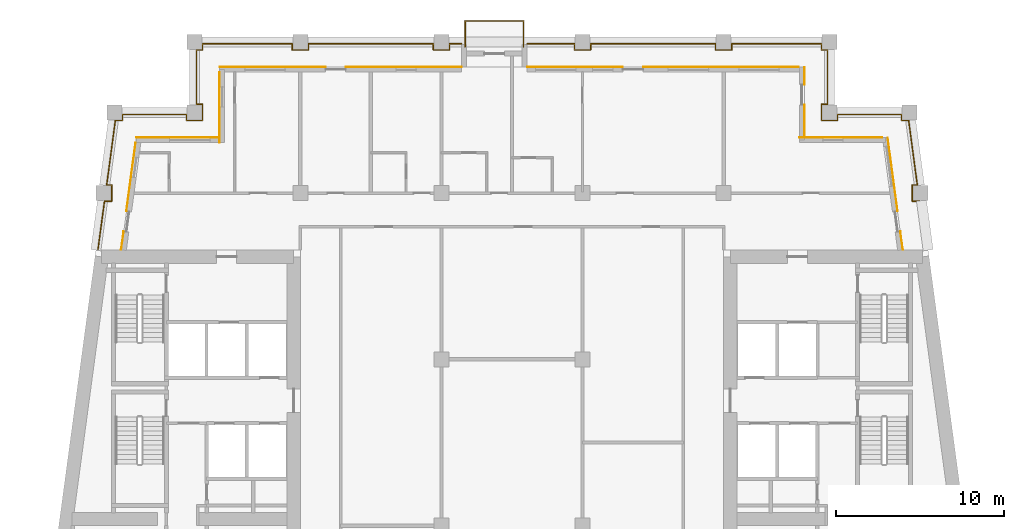
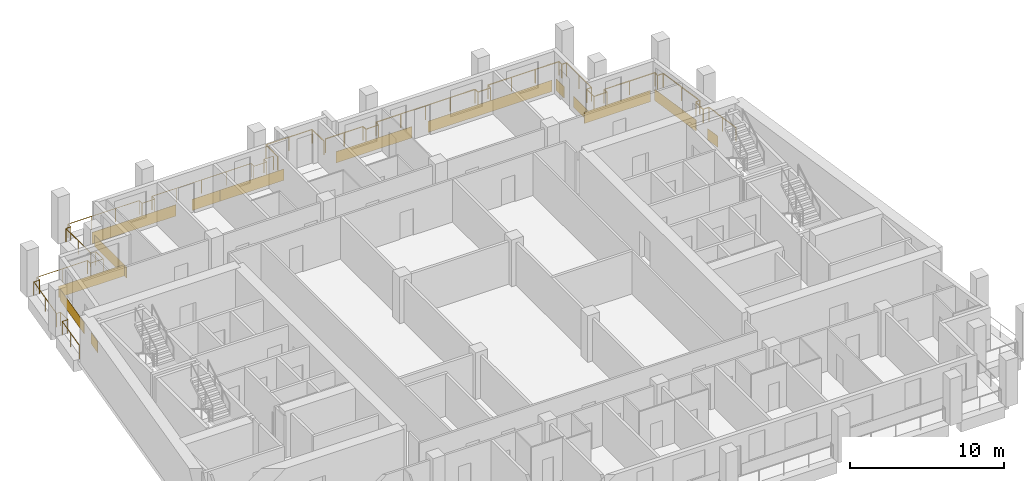
# One storey, part 11 of 12: 14 coverings, 3 railings.
"""IFC4 building model written with IfcOpenShell, lengths in metres."""

import ifcopenshell
import ifcopenshell.guid

model = None  # the IFC model being written
_history = None  # IfcOwnerHistory: only IFC2X3 demands one
_inside = {}  # id of a spatial element -> (the spatial element, [elements in it])
_under = {}  # id of a project, library or spatial element -> (it, [spatial elements below it])
_declared = {}  # id of a project -> (the project, [libraries it declares])
_typed = {}  # id of a type object -> (the type object, [elements of that type])
_made_of = {}  # id of a material, layer set ... -> (it, [elements and type objects made of it])


def new_model(schema):
    """Start an empty IFC model of exactly this schema.

    Asked for "IFC4X3", IfcOpenShell would pick the latest addendum, in which some entities
    have other attributes; the version numbers below select the first issue.
    IFC2X3 requires an IfcOwnerHistory on every rooted entity: one is made here for all.
    """
    global model, _history
    if schema == "IFC4X3":
        model = ifcopenshell.file(schema_version=(4, 3, 0, 0))
    else:
        model = ifcopenshell.file(schema=schema)
    _inside.clear()
    _under.clear()
    _declared.clear()
    _typed.clear()
    _made_of.clear()
    _history = None
    if model.schema == "IFC2X3":
        org = make("IfcOrganization", Name="unknown")
        user = make(
            "IfcPersonAndOrganization",
            ThePerson=make("IfcPerson", FamilyName="unknown"),
            TheOrganization=org,
        )
        app = make(
            "IfcApplication",
            ApplicationDeveloper=org,
            Version="unknown",
            ApplicationFullName="unknown",
            ApplicationIdentifier="unknown",
        )
        _history = make(
            "IfcOwnerHistory",
            OwningUser=user,
            OwningApplication=app,
            ChangeAction="ADDED",
            CreationDate=0,
        )
    return model


def make(cls, **values):
    """One entity of the class cls with the attributes given. An attribute that is None is left unset."""
    return model.create_entity(
        cls, **{name: value for name, value in values.items() if value is not None}
    )


def rooted(cls, **values):
    """An entity with a GlobalId (a new one), such as an element, a storey or a relation."""
    return make(cls, GlobalId=ifcopenshell.guid.new(), OwnerHistory=_history, **values)


def si_unit(unit_type, name, prefix=None):
    """IfcSIUnit, for example si_unit("LENGTHUNIT", "METRE", prefix="MILLI")."""
    return make("IfcSIUnit", UnitType=unit_type, Prefix=prefix, Name=name)


def assignment(units):
    """IfcUnitAssignment: the units of a project."""
    return None if units is None else make("IfcUnitAssignment", Units=units)


def point(xyz):
    """IfcCartesianPoint."""
    return None if xyz is None else make("IfcCartesianPoint", Coordinates=xyz)


def direction(xyz):
    """IfcDirection."""
    return None if xyz is None else make("IfcDirection", DirectionRatios=xyz)


def frame(location, z_axis=None, x_axis=None):
    """IfcAxis2Placement3D, a coordinate frame: its origin and axes. An axis left out is left unset."""
    return make(
        "IfcAxis2Placement3D",
        Location=point(location),
        Axis=direction(z_axis),
        RefDirection=direction(x_axis),
    )


def frame_2d(location, x_axis=None):
    """IfcAxis2Placement2D, a coordinate frame in the plane: its origin and x axis."""
    return make(
        "IfcAxis2Placement2D", Location=point(location), RefDirection=direction(x_axis)
    )


def origin():
    """The frame at (0, 0, 0) with its axes left unset."""
    return frame((0.0, 0.0, 0.0))


def origin_2d():
    """The frame at (0, 0) in the plane with its x axis left unset."""
    return frame_2d((0.0, 0.0))


def place(relative_to, where):
    """IfcLocalPlacement: puts the frame where relative to a parent placement (None: the world)."""
    return make(
        "IfcLocalPlacement", PlacementRelTo=relative_to, RelativePlacement=where
    )


def context(
    kind, dimensions, precision=None, world=None, true_north=None, identifier=None
):
    """IfcGeometricRepresentationContext, for example the 3D "Model" context."""
    return make(
        "IfcGeometricRepresentationContext",
        ContextIdentifier=identifier,
        ContextType=kind,
        CoordinateSpaceDimension=dimensions,
        Precision=precision,
        WorldCoordinateSystem=world,
        TrueNorth=true_north,
    )


def subcontext(parent, identifier, kind, view, scale=None):
    """IfcGeometricRepresentationSubContext, for example "Body" below "Model"."""
    return make(
        "IfcGeometricRepresentationSubContext",
        ContextIdentifier=identifier,
        ContextType=kind,
        ParentContext=parent,
        TargetScale=scale,
        TargetView=view,
    )


def project(units=None, contexts=None):
    """IfcProject with its units and contexts."""
    return rooted(
        "IfcProject",
        Name="project",
        RepresentationContexts=contexts,
        UnitsInContext=assignment(units),
    )


def spatial(cls, under=None, at=None, **own):
    """A site, building, storey or space (cls), placed at a placement, below another one or the project."""
    s = rooted(cls, ObjectPlacement=at, **own)
    if under is not None:
        _under.setdefault(under.id(), (under, []))[1].append(s)
    return s


def profile(cls, at=None, kind="AREA", **sizes):
    """A parametric profile (cls). Its sizes go by their IFC names, for example OverallWidth=200.0."""
    return make(cls, ProfileType=kind, Position=at, **sizes)


def rectangle(**sizes):
    """IfcRectangleProfileDef."""
    return profile("IfcRectangleProfileDef", **sizes)


def circle(**sizes):
    """IfcCircleProfileDef."""
    return profile("IfcCircleProfileDef", **sizes)


def extrude(swept, where, along, depth):
    """IfcExtrudedAreaSolid: the profile swept, set in the frame where, extruded along a direction by depth."""
    return make(
        "IfcExtrudedAreaSolid",
        SweptArea=swept,
        Position=where,
        ExtrudedDirection=direction(along),
        Depth=depth,
    )


def shape(context_of_items, identifier, shape_type, items):
    """IfcShapeRepresentation: the items that make up one representation, for example the "Body"."""
    return make(
        "IfcShapeRepresentation",
        ContextOfItems=context_of_items,
        RepresentationIdentifier=identifier,
        RepresentationType=shape_type,
        Items=items,
    )


def material(Name=None, Category=None):
    """IfcMaterial."""
    return make("IfcMaterial", Name=Name, Category=Category)


def layer(
    of_material, thickness, ventilated=None, Name=None, Category=None, Priority=None
):
    """IfcMaterialLayer: one layer of a wall or slab, of a material (None: an air gap)."""
    return make(
        "IfcMaterialLayer",
        Material=of_material,
        LayerThickness=thickness,
        IsVentilated=ventilated,
        Name=Name,
        Category=Category,
        Priority=Priority,
    )


def layer_set(layers, Name=None):
    """IfcMaterialLayerSet."""
    return make("IfcMaterialLayerSet", MaterialLayers=layers, LayerSetName=Name)


def made_of(thing, what):
    """Note that an element or type object is made of a material, layer set ...; save() writes the relation."""
    if what is not None:
        _made_of.setdefault(what.id(), (what, []))[1].append(thing)
    return thing


def type_object(cls, material=None, **own):
    """A type object (cls), such as IfcWallType, which elements share."""
    return made_of(rooted(cls, **own), material)


def element(
    cls,
    number,
    at=None,
    inside=None,
    cuts=None,
    type_object=None,
    material=None,
    context=None,
    identifier="Body",
    shape_type=None,
    held_by="IfcProductDefinitionShape",
    body=None,
    shapes=None,
    **own,
):
    """One element of the class cls, such as IfcWall. Its Tag is "e" and its number.

    at: its placement. inside: the storey or other place that contains it. cuts: it is an
    opening in that element (IfcRelVoidsElement). A single representation is given by context,
    identifier, shape_type and body (its items); several are given by shapes. held_by: the class
    of the entity that holds the representations. save() writes the other relations.
    """
    e = rooted(cls, Tag="e%d" % number, ObjectPlacement=at, **own)
    if body is not None:
        shapes = [shape(context, identifier, shape_type, body)]
    if shapes is not None:
        e.Representation = make(held_by, Representations=shapes)
    if inside is not None:
        _inside.setdefault(inside.id(), (inside, []))[1].append(e)
    if cuts is not None:
        rooted(
            "IfcRelVoidsElement", RelatingBuildingElement=cuts, RelatedOpeningElement=e
        )
    if type_object is not None:
        _typed.setdefault(type_object.id(), (type_object, []))[1].append(e)
    return made_of(e, material)


def aggregate(whole, parts):
    """IfcRelAggregates: a whole, such as a stair, and the parts it consists of."""
    return rooted("IfcRelAggregates", RelatingObject=whole, RelatedObjects=parts)


def save(model, path):
    """Write the relations noted so far, then the file.

    IfcRelAggregates (storeys below a building ...), IfcRelContainedInSpatialStructure (elements
    in a storey), IfcRelDefinesByType, IfcRelAssociatesMaterial and IfcRelDeclares: one each for
    every whole, place, type object, material and project.
    """
    for whole, parts in _under.values():
        aggregate(whole, parts)
    for where, things in _inside.values():
        rooted(
            "IfcRelContainedInSpatialStructure",
            RelatedElements=things,
            RelatingStructure=where,
        )
    for kind, things in _typed.values():
        rooted("IfcRelDefinesByType", RelatedObjects=things, RelatingType=kind)
    for what, things in _made_of.values():
        rooted("IfcRelAssociatesMaterial", RelatedObjects=things, RelatingMaterial=what)
    for by, libraries in _declared.values():
        rooted("IfcRelDeclares", RelatingContext=by, RelatedDefinitions=libraries)
    model.write(path)


model = new_model("IFC4")

# Units and contexts
model_context = context("Model", 3, precision=1e-05, world=origin(), true_north=direction((0.0, 1.0)))
body_context = subcontext(model_context, "Body", "Model", "MODEL_VIEW")
ifc_project = project(units=[si_unit("LENGTHUNIT", "METRE"), si_unit("AREAUNIT", "SQUARE_METRE"), si_unit("VOLUMEUNIT", "CUBIC_METRE"), si_unit("PLANEANGLEUNIT", "RADIAN"), si_unit("MASSUNIT", "GRAM", prefix="KILO")], contexts=[model_context])

# Site, building, storey
site_placement = place(None, origin())
site = spatial("IfcSite", under=ifc_project, at=site_placement, CompositionType="ELEMENT")
building_placement = place(site_placement, origin())
building = spatial("IfcBuilding", under=site, at=building_placement, Name="Candeia Pilgrim Tower and Theatre", CompositionType="ELEMENT")
storey_placement = place(building_placement, frame((0.0, 0.0, 217.0)))
storey = spatial("IfcBuildingStorey", under=building, at=storey_placement, Name="L52", CompositionType="ELEMENT", Elevation=217.0)

# Railings
ifc_material_1 = material(Name="Stainless steel balustrade", Category="steel")
railing_type = type_object("IfcRailingType", Name="G1 loggia guard 1100", PredefinedType="GUARDRAIL", material=ifc_material_1)
railing_1_placement = place(storey_placement, frame((88.758544921875, 132.449951171875, 0.0)))
element("IfcRailing", 1, at=railing_1_placement, inside=storey, type_object=railing_type, Name="Guard L52.2", PredefinedType="GUARDRAIL", context=body_context, shape_type="SweptSolid", body=[
    extrude(circle(Radius=0.02392578125, at=origin_2d()), frame((0.0, 0.0, 1.076171875), z_axis=(0.133450228179, 0.991055516406, 0.0), x_axis=(-0.991055516406, 0.133450228179, 0.0)), (0.0, 0.0, 1.0), 2.89599609375),
    extrude(circle(Radius=0.02392578125, at=origin_2d()), frame((0.386474609375, 2.8701171875, 1.076171875), z_axis=(1.0, 0.0, 0.0), x_axis=(0.0, 1.0, 0.0)), (0.0, 0.0, 1.0), 0.42333984375),
    extrude(circle(Radius=0.02392578125, at=origin_2d()), frame((0.809814453125, 2.8701171875, 1.076171875), z_axis=(0.0, 1.0, 0.0), x_axis=(-1.0, 0.0, 0.0)), (0.0, 0.0, 1.0), 0.9599609375),
    extrude(circle(Radius=0.02392578125, at=origin_2d()), frame((0.809814453125, 3.830078125, 1.076171875), z_axis=(-1.0, 0.0, 0.0), x_axis=(0.0, -1.0, 0.0)), (0.0, 0.0, 1.0), 0.294189453125),
    extrude(circle(Radius=0.02392578125, at=origin_2d()), frame((0.515625, 3.830078125, 1.076171875), z_axis=(0.133389399471, 0.991063705374, 0.0), x_axis=(-0.991063705374, 0.133389399471, 0.0)), (0.0, 0.0, 1.0), 3.874755859375),
    extrude(circle(Radius=0.02392578125, at=origin_2d()), frame((1.032470703125, 7.670166015625, 1.076171875), z_axis=(1.0, 0.0, 0.0), x_axis=(0.0, 1.0, 0.0)), (0.0, 0.0, 1.0), 0.423583984375),
    extrude(circle(Radius=0.02392578125, at=origin_2d()), frame((1.4560546875, 7.670166015625, 1.076171875), z_axis=(0.0, 1.0, 0.0), x_axis=(-1.0, 0.0, 0.0)), (0.0, 0.0, 1.0), 0.35986328125),
    extrude(circle(Radius=0.02392578125, at=origin_2d()), frame((1.4560546875, 8.030029296875, 1.076171875), z_axis=(1.0, 0.0, 0.0), x_axis=(0.0, 1.0, 0.0)), (0.0, 0.0, 1.0), 3.805419921875),
    extrude(circle(Radius=0.02392578125, at=origin_2d()), frame((5.261474609375, 8.030029296875, 1.076171875), z_axis=(0.0, -1.0, 0.0), x_axis=(1.0, 0.0, 0.0)), (0.0, 0.0, 1.0), 0.35986328125),
    extrude(circle(Radius=0.02392578125, at=origin_2d()), frame((5.261474609375, 7.670166015625, 1.076171875), z_axis=(1.0, 0.0, 0.0), x_axis=(0.0, 1.0, 0.0)), (0.0, 0.0, 1.0), 0.9599609375),
    extrude(circle(Radius=0.02392578125, at=origin_2d()), frame((6.221435546875, 7.670166015625, 1.076171875), z_axis=(0.0, 1.0, 0.0), x_axis=(-1.0, 0.0, 0.0)), (0.0, 0.0, 1.0), 0.9599609375),
    extrude(circle(Radius=0.02392578125, at=origin_2d()), frame((6.221435546875, 8.630126953125, 1.076171875), z_axis=(-1.0, 0.0, 0.0), x_axis=(0.0, -1.0, 0.0)), (0.0, 0.0, 1.0), 0.35986328125),
    extrude(circle(Radius=0.02392578125, at=origin_2d()), frame((5.861572265625, 8.630126953125, 1.076171875), z_axis=(0.0, 1.0, 0.0), x_axis=(-1.0, 0.0, 0.0)), (0.0, 0.0, 1.0), 3.239990234375),
    extrude(circle(Radius=0.02392578125, at=origin_2d()), frame((5.861572265625, 11.8701171875, 1.076171875), z_axis=(1.0, 0.0, 0.0), x_axis=(0.0, 1.0, 0.0)), (0.0, 0.0, 1.0), 0.35986328125),
    extrude(circle(Radius=0.02392578125, at=origin_2d()), frame((6.221435546875, 11.8701171875, 1.076171875), z_axis=(0.0, 1.0, 0.0), x_axis=(-1.0, 0.0, 0.0)), (0.0, 0.0, 1.0), 0.35986328125),
    extrude(circle(Radius=0.02392578125, at=origin_2d()), frame((6.221435546875, 12.22998046875, 1.076171875), z_axis=(1.0, 0.0, 0.0), x_axis=(0.0, 1.0, 0.0)), (0.0, 0.0, 1.0), 5.340087890625),
    extrude(circle(Radius=0.02392578125, at=origin_2d()), frame((11.5615234375, 12.22998046875, 1.076171875), z_axis=(0.0, -1.0, 0.0), x_axis=(1.0, 0.0, 0.0)), (0.0, 0.0, 1.0), 0.35986328125),
    extrude(circle(Radius=0.02392578125, at=origin_2d()), frame((11.5615234375, 11.8701171875, 1.076171875), z_axis=(1.0, 0.0, 0.0), x_axis=(0.0, 1.0, 0.0)), (0.0, 0.0, 1.0), 0.9599609375),
    extrude(circle(Radius=0.02392578125, at=origin_2d()), frame((12.521484375, 11.8701171875, 1.076171875), z_axis=(0.0, 1.0, 0.0), x_axis=(-1.0, 0.0, 0.0)), (0.0, 0.0, 1.0), 0.35986328125),
    extrude(circle(Radius=0.02392578125, at=origin_2d()), frame((12.521484375, 12.22998046875, 1.076171875), z_axis=(1.0, 0.0, 0.0), x_axis=(0.0, 1.0, 0.0)), (0.0, 0.0, 1.0), 7.43994140625),
    extrude(circle(Radius=0.02392578125, at=origin_2d()), frame((19.96142578125, 12.22998046875, 1.076171875), z_axis=(0.0, -1.0, 0.0), x_axis=(1.0, 0.0, 0.0)), (0.0, 0.0, 1.0), 0.35986328125),
    extrude(circle(Radius=0.02392578125, at=origin_2d()), frame((19.96142578125, 11.8701171875, 1.076171875), z_axis=(1.0, 0.0, 0.0), x_axis=(0.0, 1.0, 0.0)), (0.0, 0.0, 1.0), 0.9599609375),
    extrude(circle(Radius=0.02392578125, at=origin_2d()), frame((20.92138671875, 11.8701171875, 1.076171875), z_axis=(0.0, 1.0, 0.0), x_axis=(-1.0, 0.0, 0.0)), (0.0, 0.0, 1.0), 0.35986328125),
    extrude(circle(Radius=0.02392578125, at=origin_2d()), frame((20.92138671875, 12.22998046875, 1.076171875), z_axis=(1.0, 0.0, 0.0), x_axis=(0.0, 1.0, 0.0)), (0.0, 0.0, 1.0), 0.719970703125),
    extrude(circle(Radius=0.02099609375, at=origin_2d()), origin(), (0.0, 0.0, 1.0), 1.052001953125),
    extrude(circle(Radius=0.02099609375, at=origin_2d()), frame((0.193359375, 1.43505859375, 0.0)), (0.0, 0.0, 1.0), 1.052001953125),
    extrude(circle(Radius=0.02099609375, at=origin_2d()), frame((0.386474609375, 2.8701171875, 0.0)), (0.0, 0.0, 1.0), 1.052001953125),
    extrude(circle(Radius=0.02099609375, at=origin_2d()), frame((0.809814453125, 2.8701171875, 0.0)), (0.0, 0.0, 1.0), 1.052001953125),
    extrude(circle(Radius=0.02099609375, at=origin_2d()), frame((0.809814453125, 3.830078125, 0.0)), (0.0, 0.0, 1.0), 1.052001953125),
    extrude(circle(Radius=0.02099609375, at=origin_2d()), frame((0.515625, 3.830078125, 0.0)), (0.0, 0.0, 1.0), 1.052001953125),
    extrude(circle(Radius=0.02099609375, at=origin_2d()), frame((0.77392578125, 5.75, 0.0)), (0.0, 0.0, 1.0), 1.052001953125),
    extrude(circle(Radius=0.02099609375, at=origin_2d()), frame((1.032470703125, 7.670166015625, 0.0)), (0.0, 0.0, 1.0), 1.052001953125),
    extrude(circle(Radius=0.02099609375, at=origin_2d()), frame((1.4560546875, 7.670166015625, 0.0)), (0.0, 0.0, 1.0), 1.052001953125),
    extrude(circle(Radius=0.02099609375, at=origin_2d()), frame((1.4560546875, 8.030029296875, 0.0)), (0.0, 0.0, 1.0), 1.052001953125),
    extrude(circle(Radius=0.02099609375, at=origin_2d()), frame((3.35888671875, 8.030029296875, 0.0)), (0.0, 0.0, 1.0), 1.052001953125),
    extrude(circle(Radius=0.02099609375, at=origin_2d()), frame((5.261474609375, 8.030029296875, 0.0)), (0.0, 0.0, 1.0), 1.052001953125),
    extrude(circle(Radius=0.02099609375, at=origin_2d()), frame((5.261474609375, 7.670166015625, 0.0)), (0.0, 0.0, 1.0), 1.052001953125),
    extrude(circle(Radius=0.02099609375, at=origin_2d()), frame((6.221435546875, 7.670166015625, 0.0)), (0.0, 0.0, 1.0), 1.052001953125),
    extrude(circle(Radius=0.02099609375, at=origin_2d()), frame((6.221435546875, 8.630126953125, 0.0)), (0.0, 0.0, 1.0), 1.052001953125),
    extrude(circle(Radius=0.02099609375, at=origin_2d()), frame((5.861572265625, 8.630126953125, 0.0)), (0.0, 0.0, 1.0), 1.052001953125),
    extrude(circle(Radius=0.02099609375, at=origin_2d()), frame((5.861572265625, 10.25, 0.0)), (0.0, 0.0, 1.0), 1.052001953125),
    extrude(circle(Radius=0.02099609375, at=origin_2d()), frame((5.861572265625, 11.8701171875, 0.0)), (0.0, 0.0, 1.0), 1.052001953125),
    extrude(circle(Radius=0.02099609375, at=origin_2d()), frame((6.221435546875, 11.8701171875, 0.0)), (0.0, 0.0, 1.0), 1.052001953125),
    extrude(circle(Radius=0.02099609375, at=origin_2d()), frame((6.221435546875, 12.22998046875, 0.0)), (0.0, 0.0, 1.0), 1.052001953125),
    extrude(circle(Radius=0.02099609375, at=origin_2d()), frame((8.00146484375, 12.22998046875, 0.0)), (0.0, 0.0, 1.0), 1.052001953125),
    extrude(circle(Radius=0.02099609375, at=origin_2d()), frame((9.781494140625, 12.22998046875, 0.0)), (0.0, 0.0, 1.0), 1.052001953125),
    extrude(circle(Radius=0.02099609375, at=origin_2d()), frame((11.5615234375, 12.22998046875, 0.0)), (0.0, 0.0, 1.0), 1.052001953125),
    extrude(circle(Radius=0.02099609375, at=origin_2d()), frame((11.5615234375, 11.8701171875, 0.0)), (0.0, 0.0, 1.0), 1.052001953125),
    extrude(circle(Radius=0.02099609375, at=origin_2d()), frame((12.521484375, 11.8701171875, 0.0)), (0.0, 0.0, 1.0), 1.052001953125),
    extrude(circle(Radius=0.02099609375, at=origin_2d()), frame((12.521484375, 12.22998046875, 0.0)), (0.0, 0.0, 1.0), 1.052001953125),
    extrude(circle(Radius=0.02099609375, at=origin_2d()), frame((14.38134765625, 12.22998046875, 0.0)), (0.0, 0.0, 1.0), 1.052001953125),
    extrude(circle(Radius=0.02099609375, at=origin_2d()), frame((16.241455078125, 12.22998046875, 0.0)), (0.0, 0.0, 1.0), 1.052001953125),
    extrude(circle(Radius=0.02099609375, at=origin_2d()), frame((18.1015625, 12.22998046875, 0.0)), (0.0, 0.0, 1.0), 1.052001953125),
    extrude(circle(Radius=0.02099609375, at=origin_2d()), frame((19.96142578125, 12.22998046875, 0.0)), (0.0, 0.0, 1.0), 1.052001953125),
    extrude(circle(Radius=0.02099609375, at=origin_2d()), frame((19.96142578125, 11.8701171875, 0.0)), (0.0, 0.0, 1.0), 1.052001953125),
    extrude(circle(Radius=0.02099609375, at=origin_2d()), frame((20.92138671875, 11.8701171875, 0.0)), (0.0, 0.0, 1.0), 1.052001953125),
    extrude(circle(Radius=0.02099609375, at=origin_2d()), frame((20.92138671875, 12.22998046875, 0.0)), (0.0, 0.0, 1.0), 1.052001953125),
    extrude(circle(Radius=0.02099609375, at=origin_2d()), frame((21.641357421875, 12.22998046875, 0.0)), (0.0, 0.0, 1.0), 1.052001953125),
])
railing_2_placement = place(storey_placement, frame((114.300048828125, 144.679931640625, 0.0)))
element("IfcRailing", 2, at=railing_2_placement, inside=storey, type_object=railing_type, Name="Guard L52.3", PredefinedType="GUARDRAIL", context=body_context, shape_type="SweptSolid", body=[
    extrude(circle(Radius=0.02392578125, at=origin_2d()), frame((0.0, 0.0, 1.076171875), z_axis=(1.0, 0.0, 0.0), x_axis=(0.0, 1.0, 0.0)), (0.0, 0.0, 1.0), 2.820068359375),
    extrude(circle(Radius=0.02392578125, at=origin_2d()), frame((2.820068359375, 0.0, 1.076171875), z_axis=(0.0, -1.0, 0.0), x_axis=(1.0, 0.0, 0.0)), (0.0, 0.0, 1.0), 0.35986328125),
    extrude(circle(Radius=0.02392578125, at=origin_2d()), frame((2.820068359375, -0.35986328125, 1.076171875), z_axis=(1.0, 0.0, 0.0), x_axis=(0.0, 1.0, 0.0)), (0.0, 0.0, 1.0), 0.9599609375),
    extrude(circle(Radius=0.02392578125, at=origin_2d()), frame((3.780029296875, -0.35986328125, 1.076171875), z_axis=(0.0, 1.0, 0.0), x_axis=(-1.0, 0.0, 0.0)), (0.0, 0.0, 1.0), 0.35986328125),
    extrude(circle(Radius=0.02392578125, at=origin_2d()), frame((3.780029296875, 0.0, 1.076171875), z_axis=(1.0, 0.0, 0.0), x_axis=(0.0, 1.0, 0.0)), (0.0, 0.0, 1.0), 7.43994140625),
    extrude(circle(Radius=0.02392578125, at=origin_2d()), frame((11.219970703125, 0.0, 1.076171875), z_axis=(0.0, -1.0, 0.0), x_axis=(1.0, 0.0, 0.0)), (0.0, 0.0, 1.0), 0.35986328125),
    extrude(circle(Radius=0.02392578125, at=origin_2d()), frame((11.219970703125, -0.35986328125, 1.076171875), z_axis=(1.0, 0.0, 0.0), x_axis=(0.0, 1.0, 0.0)), (0.0, 0.0, 1.0), 0.9599609375),
    extrude(circle(Radius=0.02392578125, at=origin_2d()), frame((12.179931640625, -0.35986328125, 1.076171875), z_axis=(0.0, 1.0, 0.0), x_axis=(-1.0, 0.0, 0.0)), (0.0, 0.0, 1.0), 0.35986328125),
    extrude(circle(Radius=0.02392578125, at=origin_2d()), frame((12.179931640625, 0.0, 1.076171875), z_axis=(1.0, 0.0, 0.0), x_axis=(0.0, 1.0, 0.0)), (0.0, 0.0, 1.0), 5.340087890625),
    extrude(circle(Radius=0.02392578125, at=origin_2d()), frame((17.52001953125, 0.0, 1.076171875), z_axis=(0.0, -1.0, 0.0), x_axis=(1.0, 0.0, 0.0)), (0.0, 0.0, 1.0), 0.35986328125),
    extrude(circle(Radius=0.02392578125, at=origin_2d()), frame((17.52001953125, -0.35986328125, 1.076171875), z_axis=(1.0, 0.0, 0.0), x_axis=(0.0, 1.0, 0.0)), (0.0, 0.0, 1.0), 0.35986328125),
    extrude(circle(Radius=0.02392578125, at=origin_2d()), frame((17.8798828125, -0.35986328125, 1.076171875), z_axis=(0.0, -1.0, 0.0), x_axis=(1.0, 0.0, 0.0)), (0.0, 0.0, 1.0), 3.239990234375),
    extrude(circle(Radius=0.02392578125, at=origin_2d()), frame((17.8798828125, -3.599853515625, 1.076171875), z_axis=(-1.0, 0.0, 0.0), x_axis=(0.0, -1.0, 0.0)), (0.0, 0.0, 1.0), 0.35986328125),
    extrude(circle(Radius=0.02392578125, at=origin_2d()), frame((17.52001953125, -3.599853515625, 1.076171875), z_axis=(0.0, -1.0, 0.0), x_axis=(1.0, 0.0, 0.0)), (0.0, 0.0, 1.0), 0.9599609375),
    extrude(circle(Radius=0.02392578125, at=origin_2d()), frame((17.52001953125, -4.559814453125, 1.076171875), z_axis=(1.0, 0.0, 0.0), x_axis=(0.0, 1.0, 0.0)), (0.0, 0.0, 1.0), 0.9599609375),
    extrude(circle(Radius=0.02392578125, at=origin_2d()), frame((18.47998046875, -4.559814453125, 1.076171875), z_axis=(0.0, 1.0, 0.0), x_axis=(-1.0, 0.0, 0.0)), (0.0, 0.0, 1.0), 0.35986328125),
    extrude(circle(Radius=0.02392578125, at=origin_2d()), frame((18.47998046875, -4.199951171875, 1.076171875), z_axis=(1.0, 0.0, 0.0), x_axis=(0.0, 1.0, 0.0)), (0.0, 0.0, 1.0), 3.805419921875),
    extrude(circle(Radius=0.02392578125, at=origin_2d()), frame((22.285400390625, -4.199951171875, 1.076171875), z_axis=(0.0, -1.0, 0.0), x_axis=(1.0, 0.0, 0.0)), (0.0, 0.0, 1.0), 0.35986328125),
    extrude(circle(Radius=0.02392578125, at=origin_2d()), frame((22.285400390625, -4.559814453125, 1.076171875), z_axis=(1.0, 0.0, 0.0), x_axis=(0.0, 1.0, 0.0)), (0.0, 0.0, 1.0), 0.423583984375),
    extrude(circle(Radius=0.02392578125, at=origin_2d()), frame((22.708984375, -4.559814453125, 1.076171875), z_axis=(0.133389399471, -0.991063705374, 0.0), x_axis=(0.991063705374, 0.133389399471, 0.0)), (0.0, 0.0, 1.0), 3.874755859375),
    extrude(circle(Radius=0.02392578125, at=origin_2d()), frame((23.225830078125, -8.39990234375, 1.076171875), z_axis=(-1.0, 0.0, 0.0), x_axis=(0.0, -1.0, 0.0)), (0.0, 0.0, 1.0), 0.29443359375),
    extrude(circle(Radius=0.02392578125, at=origin_2d()), frame((22.931396484375, -8.39990234375, 1.076171875), z_axis=(0.0, -1.0, 0.0), x_axis=(1.0, 0.0, 0.0)), (0.0, 0.0, 1.0), 0.9599609375),
    extrude(circle(Radius=0.02392578125, at=origin_2d()), frame((22.931396484375, -9.35986328125, 1.076171875), z_axis=(1.0, 0.0, 0.0), x_axis=(0.0, 1.0, 0.0)), (0.0, 0.0, 1.0), 0.423583984375),
    extrude(circle(Radius=0.02392578125, at=origin_2d()), frame((23.35498046875, -9.35986328125, 1.076171875), z_axis=(0.133450228179, -0.991055516406, 0.0), x_axis=(0.991055516406, 0.133450228179, 0.0)), (0.0, 0.0, 1.0), 2.89599609375),
    extrude(circle(Radius=0.02099609375, at=origin_2d()), origin(), (0.0, 0.0, 1.0), 1.052001953125),
    extrude(circle(Radius=0.02099609375, at=origin_2d()), frame((1.41015625, 0.0, 0.0)), (0.0, 0.0, 1.0), 1.052001953125),
    extrude(circle(Radius=0.02099609375, at=origin_2d()), frame((2.820068359375, 0.0, 0.0)), (0.0, 0.0, 1.0), 1.052001953125),
    extrude(circle(Radius=0.02099609375, at=origin_2d()), frame((2.820068359375, -0.35986328125, 0.0)), (0.0, 0.0, 1.0), 1.052001953125),
    extrude(circle(Radius=0.02099609375, at=origin_2d()), frame((3.780029296875, -0.35986328125, 0.0)), (0.0, 0.0, 1.0), 1.052001953125),
    extrude(circle(Radius=0.02099609375, at=origin_2d()), frame((3.780029296875, 0.0, 0.0)), (0.0, 0.0, 1.0), 1.052001953125),
    extrude(circle(Radius=0.02099609375, at=origin_2d()), frame((5.64013671875, 0.0, 0.0)), (0.0, 0.0, 1.0), 1.052001953125),
    extrude(circle(Radius=0.02099609375, at=origin_2d()), frame((7.5, 0.0, 0.0)), (0.0, 0.0, 1.0), 1.052001953125),
    extrude(circle(Radius=0.02099609375, at=origin_2d()), frame((9.35986328125, 0.0, 0.0)), (0.0, 0.0, 1.0), 1.052001953125),
    extrude(circle(Radius=0.02099609375, at=origin_2d()), frame((11.219970703125, 0.0, 0.0)), (0.0, 0.0, 1.0), 1.052001953125),
    extrude(circle(Radius=0.02099609375, at=origin_2d()), frame((11.219970703125, -0.35986328125, 0.0)), (0.0, 0.0, 1.0), 1.052001953125),
    extrude(circle(Radius=0.02099609375, at=origin_2d()), frame((12.179931640625, -0.35986328125, 0.0)), (0.0, 0.0, 1.0), 1.052001953125),
    extrude(circle(Radius=0.02099609375, at=origin_2d()), frame((12.179931640625, 0.0, 0.0)), (0.0, 0.0, 1.0), 1.052001953125),
    extrude(circle(Radius=0.02099609375, at=origin_2d()), frame((13.9599609375, 0.0, 0.0)), (0.0, 0.0, 1.0), 1.052001953125),
    extrude(circle(Radius=0.02099609375, at=origin_2d()), frame((15.739990234375, 0.0, 0.0)), (0.0, 0.0, 1.0), 1.052001953125),
    extrude(circle(Radius=0.02099609375, at=origin_2d()), frame((17.52001953125, 0.0, 0.0)), (0.0, 0.0, 1.0), 1.052001953125),
    extrude(circle(Radius=0.02099609375, at=origin_2d()), frame((17.52001953125, -0.35986328125, 0.0)), (0.0, 0.0, 1.0), 1.052001953125),
    extrude(circle(Radius=0.02099609375, at=origin_2d()), frame((17.8798828125, -0.35986328125, 0.0)), (0.0, 0.0, 1.0), 1.052001953125),
    extrude(circle(Radius=0.02099609375, at=origin_2d()), frame((17.8798828125, -1.97998046875, 0.0)), (0.0, 0.0, 1.0), 1.052001953125),
    extrude(circle(Radius=0.02099609375, at=origin_2d()), frame((17.8798828125, -3.599853515625, 0.0)), (0.0, 0.0, 1.0), 1.052001953125),
    extrude(circle(Radius=0.02099609375, at=origin_2d()), frame((17.52001953125, -3.599853515625, 0.0)), (0.0, 0.0, 1.0), 1.052001953125),
    extrude(circle(Radius=0.02099609375, at=origin_2d()), frame((17.52001953125, -4.559814453125, 0.0)), (0.0, 0.0, 1.0), 1.052001953125),
    extrude(circle(Radius=0.02099609375, at=origin_2d()), frame((18.47998046875, -4.559814453125, 0.0)), (0.0, 0.0, 1.0), 1.052001953125),
    extrude(circle(Radius=0.02099609375, at=origin_2d()), frame((18.47998046875, -4.199951171875, 0.0)), (0.0, 0.0, 1.0), 1.052001953125),
    extrude(circle(Radius=0.02099609375, at=origin_2d()), frame((20.3828125, -4.199951171875, 0.0)), (0.0, 0.0, 1.0), 1.052001953125),
    extrude(circle(Radius=0.02099609375, at=origin_2d()), frame((22.285400390625, -4.199951171875, 0.0)), (0.0, 0.0, 1.0), 1.052001953125),
    extrude(circle(Radius=0.02099609375, at=origin_2d()), frame((22.285400390625, -4.559814453125, 0.0)), (0.0, 0.0, 1.0), 1.052001953125),
    extrude(circle(Radius=0.02099609375, at=origin_2d()), frame((22.708984375, -4.559814453125, 0.0)), (0.0, 0.0, 1.0), 1.052001953125),
    extrude(circle(Radius=0.02099609375, at=origin_2d()), frame((22.96728515625, -6.47998046875, 0.0)), (0.0, 0.0, 1.0), 1.052001953125),
    extrude(circle(Radius=0.02099609375, at=origin_2d()), frame((23.225830078125, -8.39990234375, 0.0)), (0.0, 0.0, 1.0), 1.052001953125),
    extrude(circle(Radius=0.02099609375, at=origin_2d()), frame((22.931396484375, -8.39990234375, 0.0)), (0.0, 0.0, 1.0), 1.052001953125),
    extrude(circle(Radius=0.02099609375, at=origin_2d()), frame((22.931396484375, -9.35986328125, 0.0)), (0.0, 0.0, 1.0), 1.052001953125),
    extrude(circle(Radius=0.02099609375, at=origin_2d()), frame((23.35498046875, -9.35986328125, 0.0)), (0.0, 0.0, 1.0), 1.052001953125),
    extrude(circle(Radius=0.02099609375, at=origin_2d()), frame((23.54833984375, -10.794921875, 0.0)), (0.0, 0.0, 1.0), 1.052001953125),
    extrude(circle(Radius=0.02099609375, at=origin_2d()), frame((23.741455078125, -12.22998046875, 0.0)), (0.0, 0.0, 1.0), 1.052001953125),
])
railing_3_placement = place(storey_placement, frame((110.610107421875, 144.5, 0.0)))
element("IfcRailing", 3, at=railing_3_placement, inside=storey, type_object=railing_type, Name="Balcony guard L52", PredefinedType="GUARDRAIL", context=body_context, shape_type="SweptSolid", body=[
    extrude(circle(Radius=0.02392578125, at=origin_2d()), frame((0.0, 0.0, 1.076171875), z_axis=(0.0, 1.0, 0.0), x_axis=(-1.0, 0.0, 0.0)), (0.0, 0.0, 1.0), 1.5400390625),
    extrude(circle(Radius=0.02392578125, at=origin_2d()), frame((0.0, 1.5400390625, 1.076171875), z_axis=(1.0, 0.0, 0.0), x_axis=(0.0, 1.0, 0.0)), (0.0, 0.0, 1.0), 3.47998046875),
    extrude(circle(Radius=0.02392578125, at=origin_2d()), frame((3.47998046875, 1.5400390625, 1.076171875), z_axis=(0.0, -1.0, 0.0), x_axis=(1.0, 0.0, 0.0)), (0.0, 0.0, 1.0), 1.5400390625),
    extrude(circle(Radius=0.02099609375, at=origin_2d()), origin(), (0.0, 0.0, 1.0), 1.052001953125),
    extrude(circle(Radius=0.02099609375, at=origin_2d()), frame((0.0, 1.5400390625, 0.0)), (0.0, 0.0, 1.0), 1.052001953125),
    extrude(circle(Radius=0.02099609375, at=origin_2d()), frame((1.739990234375, 1.5400390625, 0.0)), (0.0, 0.0, 1.0), 1.052001953125),
    extrude(circle(Radius=0.02099609375, at=origin_2d()), frame((3.47998046875, 1.5400390625, 0.0)), (0.0, 0.0, 1.0), 1.052001953125),
    extrude(circle(Radius=0.02099609375, at=origin_2d()), frame((3.47998046875, 0.0, 0.0)), (0.0, 0.0, 1.0), 1.052001953125),
])

# Coverings
ifc_material_2 = material(Name="Glazed ceramic tile bottle green")
ifc_layer_1 = layer(ifc_material_2, 0.02001953125)
ifc_layer_set_1 = layer_set([ifc_layer_1], Name="Glazed ceramic tile bottle green")
covering_type_1 = type_object("IfcCoveringType", Name="Glazed ceramic tile bottle green", PredefinedType="CLADDING", material=ifc_layer_set_1)
covering_1_placement = place(storey_placement, frame((136.588623046875, 132.97412109375, 0.0), z_axis=(0.0, 0.0, 1.0), x_axis=(-0.133412012145, 0.991060661622, 0.0)))
element("IfcCovering", 4, at=covering_1_placement, inside=storey, type_object=covering_type_1, Name="Tile cladding bottle green L52", PredefinedType="CLADDING", context=body_context, shape_type="SweptSolid", body=[
    extrude(rectangle(XDim=1.115234375, YDim=0.02001953125, at=origin_2d()), origin(), (0.0, 0.0, 1.0), 0.89990234375),
])
covering_2_placement = place(storey_placement, frame((136.058837890625, 136.90869140625, 0.0), z_axis=(0.0, 0.0, 1.0), x_axis=(-0.133412012145, 0.991060661622, 0.0)))
element("IfcCovering", 5, at=covering_2_placement, inside=storey, type_object=covering_type_1, Name="Tile cladding bottle green L52", PredefinedType="CLADDING", context=body_context, shape_type="SweptSolid", body=[
    extrude(rectangle(XDim=4.4248046875, YDim=0.02001953125, at=origin_2d()), origin(), (0.0, 0.0, 1.0), 0.89990234375),
])
covering_3_placement = place(storey_placement, frame((132.976318359375, 139.110107421875, 0.0), z_axis=(0.0, 0.0, 1.0), x_axis=(-1.0, 0.0, 0.0)))
element("IfcCovering", 6, at=covering_3_placement, inside=storey, type_object=covering_type_1, Name="Tile cladding bottle green L52", PredefinedType="CLADDING", context=body_context, shape_type="SweptSolid", body=[
    extrude(rectangle(XDim=4.95263671875, YDim=0.02001953125, at=origin_2d()), origin(), (0.0, 0.0, 1.0), 0.89990234375),
])
covering_4_placement = place(storey_placement, frame((130.81005859375, 140.0849609375, 0.0), z_axis=(0.0, 0.0, 1.0), x_axis=(0.0, 1.0, 0.0)))
element("IfcCovering", 7, at=covering_4_placement, inside=storey, type_object=covering_type_1, Name="Tile cladding bottle green L52", PredefinedType="CLADDING", context=body_context, shape_type="SweptSolid", body=[
    extrude(rectangle(XDim=1.929931640625, YDim=0.02001953125, at=origin_2d()), origin(), (0.0, 0.0, 1.0), 0.89990234375),
])
covering_5_placement = place(storey_placement, frame((130.81005859375, 142.77490234375, 0.0), z_axis=(0.0, 0.0, 1.0), x_axis=(0.0, 1.0, 0.0)))
element("IfcCovering", 8, at=covering_5_placement, inside=storey, type_object=covering_type_1, Name="Tile cladding bottle green L52", PredefinedType="CLADDING", context=body_context, shape_type="SweptSolid", body=[
    extrude(rectangle(XDim=1.050048828125, YDim=0.02001953125, at=origin_2d()), origin(), (0.0, 0.0, 1.0), 0.89990234375),
])
covering_6_placement = place(storey_placement, frame((125.840087890625, 143.31005859375, 0.0), z_axis=(0.0, 0.0, 1.0), x_axis=(-1.0, 0.0, 0.0)))
element("IfcCovering", 9, at=covering_6_placement, inside=storey, type_object=covering_type_1, Name="Tile cladding bottle green L52", PredefinedType="CLADDING", context=body_context, shape_type="SweptSolid", body=[
    extrude(rectangle(XDim=9.280029296875, YDim=0.02001953125, at=origin_2d()), origin(), (0.0, 0.0, 1.0), 0.89990234375),
])
covering_7_placement = place(storey_placement, frame((117.14990234375, 143.31005859375, 0.0), z_axis=(0.0, 0.0, 1.0), x_axis=(-1.0, 0.0, 0.0)))
element("IfcCovering", 10, at=covering_7_placement, inside=storey, type_object=covering_type_1, Name="Tile cladding bottle green L52", PredefinedType="CLADDING", context=body_context, shape_type="SweptSolid", body=[
    extrude(rectangle(XDim=5.699951171875, YDim=0.02001953125, at=origin_2d()), origin(), (0.0, 0.0, 1.0), 0.89990234375),
])
covering_8_placement = place(storey_placement, frame((108.0, 143.31005859375, 0.0), z_axis=(0.0, 0.0, 1.0), x_axis=(-1.0, 0.0, 0.0)))
element("IfcCovering", 11, at=covering_8_placement, inside=storey, type_object=covering_type_1, Name="Tile cladding bottle green L52", PredefinedType="CLADDING", context=body_context, shape_type="SweptSolid", body=[
    extrude(rectangle(XDim=4.800048828125, YDim=0.02001953125, at=origin_2d()), origin(), (0.0, 0.0, 1.0), 0.89990234375),
])
covering_9_placement = place(storey_placement, frame((95.989990234375, 140.889892578125, 0.0), z_axis=(0.0, 0.0, 1.0), x_axis=(0.0, -1.0, 0.0)))
element("IfcCovering", 12, at=covering_9_placement, inside=storey, type_object=covering_type_1, Name="Tile cladding bottle green L52", PredefinedType="CLADDING", context=body_context, shape_type="SweptSolid", body=[
    extrude(rectangle(XDim=4.179931640625, YDim=0.02001953125, at=origin_2d()), origin(), (0.0, 0.0, 1.0), 0.89990234375),
])
covering_10_placement = place(storey_placement, frame((90.720947265625, 136.759521484375, 0.0), z_axis=(0.0, 0.0, 1.0), x_axis=(-0.133412012145, -0.991060661622, 0.0)))
element("IfcCovering", 13, at=covering_10_placement, inside=storey, type_object=covering_type_1, Name="Tile cladding bottle green L52", PredefinedType="CLADDING", context=body_context, shape_type="SweptSolid", body=[
    extrude(rectangle(XDim=4.123779296875, YDim=0.02001953125, at=origin_2d()), origin(), (0.0, 0.0, 1.0), 0.89990234375),
])
covering_11_placement = place(storey_placement, frame((90.21142578125, 132.97412109375, 0.0), z_axis=(0.0, 0.0, 1.0), x_axis=(-0.133412012145, -0.991060661622, 0.0)))
element("IfcCovering", 14, at=covering_11_placement, inside=storey, type_object=covering_type_1, Name="Tile cladding bottle green L52", PredefinedType="CLADDING", context=body_context, shape_type="SweptSolid", body=[
    extrude(rectangle(XDim=1.115234375, YDim=0.02001953125, at=origin_2d()), origin(), (0.0, 0.0, 1.0), 0.89990234375),
])
ifc_material_3 = material(Name="Glazed ceramic tile rust")
ifc_layer_2 = layer(ifc_material_3, 0.02001953125)
ifc_layer_set_2 = layer_set([ifc_layer_2], Name="Glazed ceramic tile rust")
covering_type_2 = type_object("IfcCoveringType", Name="Glazed ceramic tile rust", PredefinedType="CLADDING", material=ifc_layer_set_2)
covering_12_placement = place(storey_placement, frame((104.550048828125, 143.31005859375, 0.0), z_axis=(0.0, 0.0, 1.0), x_axis=(-1.0, 0.0, 0.0)))
element("IfcCovering", 15, at=covering_12_placement, inside=storey, type_object=covering_type_2, Name="Tile cladding rust L52", PredefinedType="CLADDING", context=body_context, shape_type="SweptSolid", body=[
    extrude(rectangle(XDim=2.10009765625, YDim=0.02001953125, at=origin_2d()), origin(), (0.0, 0.0, 1.0), 0.89990234375),
])
covering_13_placement = place(storey_placement, frame((99.14990234375, 143.31005859375, 0.0), z_axis=(0.0, 0.0, 1.0), x_axis=(-1.0, 0.0, 0.0)))
element("IfcCovering", 16, at=covering_13_placement, inside=storey, type_object=covering_type_2, Name="Tile cladding rust L52", PredefinedType="CLADDING", context=body_context, shape_type="SweptSolid", body=[
    extrude(rectangle(XDim=6.300048828125, YDim=0.02001953125, at=origin_2d()), origin(), (0.0, 0.0, 1.0), 0.89990234375),
])
covering_14_placement = place(storey_placement, frame((93.51318359375, 139.110107421875, 0.0), z_axis=(0.0, 0.0, 1.0), x_axis=(-1.0, 0.0, 0.0)))
element("IfcCovering", 17, at=covering_14_placement, inside=storey, type_object=covering_type_2, Name="Tile cladding rust L52", PredefinedType="CLADDING", context=body_context, shape_type="SweptSolid", body=[
    extrude(rectangle(XDim=4.933837890625, YDim=0.02001953125, at=origin_2d()), origin(), (0.0, 0.0, 1.0), 0.89990234375),
])

save(model, "model.ifc")
